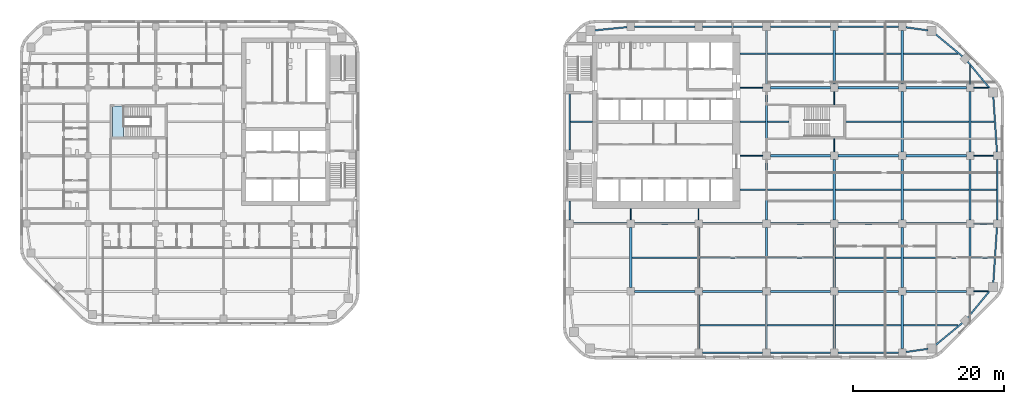
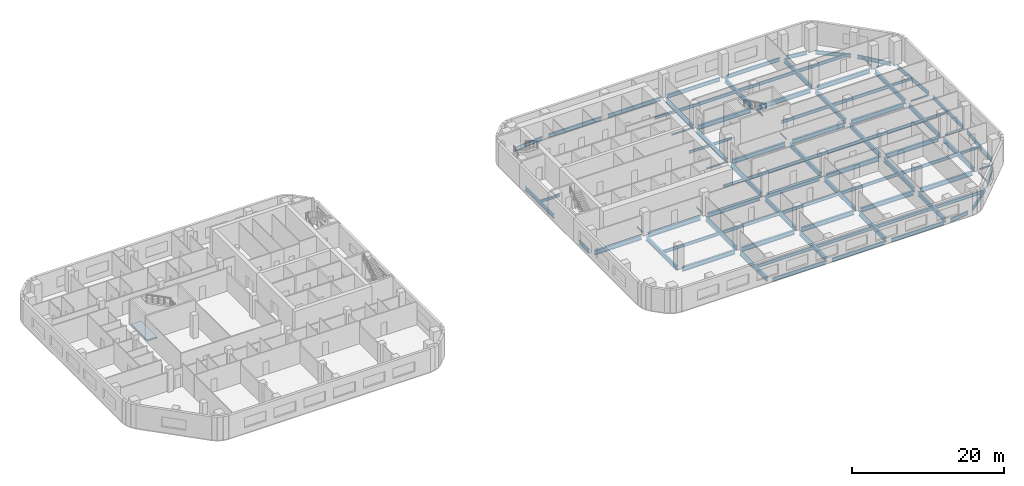
# One storey, part 3 of 16: 93 beams, 1 slab, 1 element without a shape of its own.
"""IFC4 building model written with IfcOpenShell, lengths in metres."""

from ifc_helpers import new_model, si_unit, direction, frame, origin, origin_2d, place, context, subcontext, project, spatial, polyline, i_section, outline, extrude, material, layer, layer_set, material_profile, profile_set, type_object, element, aggregate, save


model = new_model("IFC4")

# Units and contexts
model_context = context("Model", 3, precision=1e-05, world=origin(), true_north=direction((0.0, 1.0)))
body_context = subcontext(model_context, "Body", "Model", "MODEL_VIEW")
ifc_project = project(units=[si_unit("LENGTHUNIT", "METRE"), si_unit("AREAUNIT", "SQUARE_METRE"), si_unit("VOLUMEUNIT", "CUBIC_METRE"), si_unit("PLANEANGLEUNIT", "RADIAN"), si_unit("MASSUNIT", "GRAM", prefix="KILO")], contexts=[model_context])

# Site, building, storey
site_placement = place(None, origin())
site = spatial("IfcSite", under=ifc_project, at=site_placement, CompositionType="ELEMENT")
building_placement = place(site_placement, origin())
building = spatial("IfcBuilding", under=site, at=building_placement, Name="Cinnabar Reach Civic Tower", CompositionType="ELEMENT")
storey_placement = place(building_placement, frame((0.0, 0.0, 42.0)))
storey = spatial("IfcBuildingStorey", under=building, at=storey_placement, Name="L09", CompositionType="ELEMENT", Elevation=42.0)

# Beams
ifc_material_1 = material(Name="Steel Q355B", Category="steel")
ifc_material_profile_1 = material_profile(ifc_material_1, i_section(OverallWidth=0.099, OverallDepth=0.198, WebThickness=0.0045, FlangeThickness=0.007, FilletRadius=0.013, at=origin_2d()), Name="HN200x100x5.5x8")
ifc_profile_set_1 = profile_set([ifc_material_profile_1], Name="Steel Q355B")
beam_type_1 = type_object("IfcBeamType", Name="HN200x100x5.5x8 beam R 180", PredefinedType="BEAM", material=ifc_profile_set_1)
for number, where, z_axis, x_axis, name in (
    (1, (9.0, 18.502, -0.249), (0.0, 1.0, 0.0), (-1.0, 0.0, 0.0), "Girder T1 L09 3"),
    (2, (18.0, 18.502, -0.249), (0.0, 1.0, 0.0), (-1.0, 0.0, 0.0), "Girder T1 L09 6"),
):
    element("IfcBeam", number, at=place(storey_placement, frame(where, z_axis=z_axis, x_axis=x_axis)), inside=storey, type_object=beam_type_1, Name=name, PredefinedType="BEAM", context=body_context, shape_type="SweptSolid", body=[
        extrude(i_section(OverallWidth=0.099, OverallDepth=0.198, WebThickness=0.0045, FlangeThickness=0.007, FilletRadius=0.013, at=origin_2d()), origin(), (0.0, 0.0, 1.0), 1.496),
    ])
for number, where, z_axis, x_axis, name in (
    (3, (36.0, 27.502, -0.249), (0.0, 1.0, 0.0), (-1.0, 0.0, 0.0), "Girder T1 L09 15"),
    (4, (36.0, 33.752, -0.249), (0.0, 1.0, 0.0), (-1.0, 0.0, 0.0), "Girder T1 L09 16"),
):
    element("IfcBeam", number, at=place(storey_placement, frame(where, z_axis=z_axis, x_axis=x_axis)), inside=storey, type_object=beam_type_1, Name=name, PredefinedType="BEAM", context=body_context, shape_type="SweptSolid", body=[
        extrude(i_section(OverallWidth=0.099, OverallDepth=0.198, WebThickness=0.0045, FlangeThickness=0.007, FilletRadius=0.013, at=origin_2d()), origin(), (0.0, 0.0, 1.0), 1.746),
    ])
for number, where, z_axis, x_axis, name in (
    (5, (54.0, 6.0682, -0.249), (0.0, 1.0, 0.0), (-1.0, 0.0, 0.0), "Girder T1 L09 23"),
    (6, (54.0, 36.502, -0.249), (0.0, 1.0, 0.0), (-1.0, 0.0, 0.0), "Girder T1 L09 27"),
):
    element("IfcBeam", number, at=place(storey_placement, frame(where, z_axis=z_axis, x_axis=x_axis)), inside=storey, type_object=beam_type_1, Name=name, PredefinedType="BEAM", context=body_context, shape_type="SweptSolid", body=[
        extrude(i_section(OverallWidth=0.099, OverallDepth=0.198, WebThickness=0.0045, FlangeThickness=0.007, FilletRadius=0.013, at=origin_2d()), origin(), (0.0, 0.0, 1.0), 2.4298),
    ])
ifc_material_profile_2 = material_profile(ifc_material_1, i_section(OverallWidth=0.124, OverallDepth=0.248, WebThickness=0.005, FlangeThickness=0.008, FilletRadius=0.013, at=origin_2d()), Name="HN250x125x6x9")
ifc_profile_set_2 = profile_set([ifc_material_profile_2], Name="Steel Q355B")
beam_type_2 = type_object("IfcBeamType", Name="HN250x125x6x9 beam R 180", PredefinedType="BEAM", material=ifc_profile_set_2)
beam_1_placement = place(storey_placement, frame((54.502, 9.0, -0.274), z_axis=(1.0, 0.0, 0.0), x_axis=(0.0, 1.0, 0.0)))
element("IfcBeam", 7, at=beam_1_placement, inside=storey, type_object=beam_type_2, Name="Girder T1 L09 7", PredefinedType="BEAM", context=body_context, shape_type="SweptSolid", body=[
    extrude(i_section(OverallWidth=0.124, OverallDepth=0.248, WebThickness=0.005, FlangeThickness=0.008, FilletRadius=0.013, at=origin_2d()), origin(), (0.0, 0.0, 1.0), 1.9162),
])
beam_2_placement = place(storey_placement, frame((54.502, 18.0, -0.274), z_axis=(1.0, 0.0, 0.0), x_axis=(0.0, 1.0, 0.0)))
element("IfcBeam", 8, at=beam_2_placement, inside=storey, type_object=beam_type_2, Name="Girder T1 L09 14", PredefinedType="BEAM", context=body_context, shape_type="SweptSolid", body=[
    extrude(i_section(OverallWidth=0.124, OverallDepth=0.248, WebThickness=0.005, FlangeThickness=0.008, FilletRadius=0.013, at=origin_2d()), origin(), (0.0, 0.0, 1.0), 2.596),
])
beam_3_placement = place(storey_placement, frame((23.502, 27.0, -0.274), z_axis=(1.0, 0.0, 0.0), x_axis=(0.0, 1.0, 0.0)))
element("IfcBeam", 9, at=beam_3_placement, inside=storey, type_object=beam_type_2, Name="Girder T1 L09 15", PredefinedType="BEAM", context=body_context, shape_type="SweptSolid", body=[
    extrude(i_section(OverallWidth=0.124, OverallDepth=0.248, WebThickness=0.005, FlangeThickness=0.008, FilletRadius=0.013, at=origin_2d()), origin(), (0.0, 0.0, 1.0), 2.996),
])
beam_4_placement = place(storey_placement, frame((54.502, 27.0, -0.274), z_axis=(1.0, 0.0, 0.0), x_axis=(0.0, 1.0, 0.0)))
element("IfcBeam", 10, at=beam_4_placement, inside=storey, type_object=beam_type_2, Name="Girder T1 L09 19", PredefinedType="BEAM", context=body_context, shape_type="SweptSolid", body=[
    extrude(i_section(OverallWidth=0.124, OverallDepth=0.248, WebThickness=0.005, FlangeThickness=0.008, FilletRadius=0.013, at=origin_2d()), origin(), (0.0, 0.0, 1.0), 2.596),
])
beam_5_placement = place(storey_placement, frame((23.502, 36.0, -0.274), z_axis=(1.0, 0.0, 0.0), x_axis=(0.0, 1.0, 0.0)))
element("IfcBeam", 11, at=beam_5_placement, inside=storey, type_object=beam_type_2, Name="Girder T1 L09 20", PredefinedType="BEAM", context=body_context, shape_type="SweptSolid", body=[
    extrude(i_section(OverallWidth=0.124, OverallDepth=0.248, WebThickness=0.005, FlangeThickness=0.008, FilletRadius=0.013, at=origin_2d()), origin(), (0.0, 0.0, 1.0), 2.996),
])
beam_6_placement = place(storey_placement, frame((54.502, 36.0, -0.274), z_axis=(1.0, 0.0, 0.0), x_axis=(0.0, 1.0, 0.0)))
element("IfcBeam", 12, at=beam_6_placement, inside=storey, type_object=beam_type_2, Name="Girder T1 L09 24", PredefinedType="BEAM", context=body_context, shape_type="SweptSolid", body=[
    extrude(i_section(OverallWidth=0.124, OverallDepth=0.248, WebThickness=0.005, FlangeThickness=0.008, FilletRadius=0.013, at=origin_2d()), origin(), (0.0, 0.0, 1.0), 1.9162),
])
ifc_material_profile_3 = material_profile(ifc_material_1, i_section(OverallWidth=0.2, OverallDepth=0.4, WebThickness=0.008, FlangeThickness=0.013, FilletRadius=0.016, at=origin_2d()), Name="HN400x200x8x13")
ifc_profile_set_3 = profile_set([ifc_material_profile_3], Name="Steel Q355B")
beam_type_3 = type_object("IfcBeamType", Name="HN400x200x8x13 beam R 180", PredefinedType="BEAM", material=ifc_profile_set_3)
beam_7_placement = place(storey_placement, frame((54.152, 13.5, -0.35), z_axis=(1.0, 0.0, 0.0), x_axis=(0.0, 1.0, 0.0)))
element("IfcBeam", 13, at=beam_7_placement, inside=storey, type_object=beam_type_3, Name="Secondary beam T1 L09 13", PredefinedType="BEAM", context=body_context, shape_type="SweptSolid", body=[
    extrude(i_section(OverallWidth=0.2, OverallDepth=0.4, WebThickness=0.008, FlangeThickness=0.013, FilletRadius=0.016, at=origin_2d()), origin(), (0.0, 0.0, 1.0), 3.0494),
])
for number, where, z_axis, x_axis, name in (
    (14, (23.502, 22.5, -0.35), (1.0, 0.0, 0.0), (0.0, 1.0, 0.0), "Secondary beam T1 L09 14"),
    (15, (54.152, 22.5, -0.35), (1.0, 0.0, 0.0), (0.0, 1.0, 0.0), "Secondary beam T1 L09 18"),
):
    element("IfcBeam", number, at=place(storey_placement, frame(where, z_axis=z_axis, x_axis=x_axis)), inside=storey, type_object=beam_type_3, Name=name, PredefinedType="BEAM", context=body_context, shape_type="SweptSolid", body=[
        extrude(i_section(OverallWidth=0.2, OverallDepth=0.4, WebThickness=0.008, FlangeThickness=0.013, FilletRadius=0.016, at=origin_2d()), origin(), (0.0, 0.0, 1.0), 3.346),
    ])
beam_8_placement = place(storey_placement, frame((1.002, 31.5, -0.35), z_axis=(1.0, 0.0, 0.0), x_axis=(0.0, 1.0, 0.0)))
element("IfcBeam", 16, at=beam_8_placement, inside=storey, type_object=beam_type_3, Name="Secondary beam T1 L09 19", PredefinedType="BEAM", context=body_context, shape_type="SweptSolid", body=[
    extrude(i_section(OverallWidth=0.2, OverallDepth=0.4, WebThickness=0.008, FlangeThickness=0.013, FilletRadius=0.016, at=origin_2d()), origin(), (0.0, 0.0, 1.0), 2.896),
])
beam_9_placement = place(storey_placement, frame((23.502, 31.5, -0.35), z_axis=(1.0, 0.0, 0.0), x_axis=(0.0, 1.0, 0.0)))
element("IfcBeam", 17, at=beam_9_placement, inside=storey, type_object=beam_type_3, Name="Secondary beam T1 L09 20", PredefinedType="BEAM", context=body_context, shape_type="SweptSolid", body=[
    extrude(i_section(OverallWidth=0.2, OverallDepth=0.4, WebThickness=0.008, FlangeThickness=0.013, FilletRadius=0.016, at=origin_2d()), origin(), (0.0, 0.0, 1.0), 3.346),
])
beam_10_placement = place(storey_placement, frame((27.152, 31.5, -0.35), z_axis=(1.0, 0.0, 0.0), x_axis=(0.0, 1.0, 0.0)))
element("IfcBeam", 18, at=beam_10_placement, inside=storey, type_object=beam_type_3, Name="Secondary beam T1 L09 21", PredefinedType="BEAM", context=body_context, shape_type="SweptSolid", body=[
    extrude(i_section(OverallWidth=0.2, OverallDepth=0.4, WebThickness=0.008, FlangeThickness=0.013, FilletRadius=0.016, at=origin_2d()), origin(), (0.0, 0.0, 1.0), 2.846),
])
beam_11_placement = place(storey_placement, frame((54.152, 31.5, -0.35), z_axis=(1.0, 0.0, 0.0), x_axis=(0.0, 1.0, 0.0)))
element("IfcBeam", 19, at=beam_11_placement, inside=storey, type_object=beam_type_3, Name="Secondary beam T1 L09 24", PredefinedType="BEAM", context=body_context, shape_type="SweptSolid", body=[
    extrude(i_section(OverallWidth=0.2, OverallDepth=0.4, WebThickness=0.008, FlangeThickness=0.013, FilletRadius=0.016, at=origin_2d()), origin(), (0.0, 0.0, 1.0), 3.0494),
])
beam_12_placement = place(storey_placement, frame((23.502, 40.5, -0.35), z_axis=(1.0, 0.0, 0.0), x_axis=(0.0, 1.0, 0.0)))
element("IfcBeam", 20, at=beam_12_placement, inside=storey, type_object=beam_type_3, Name="Secondary beam T1 L09 25", PredefinedType="BEAM", context=body_context, shape_type="SweptSolid", body=[
    extrude(i_section(OverallWidth=0.2, OverallDepth=0.4, WebThickness=0.008, FlangeThickness=0.013, FilletRadius=0.016, at=origin_2d()), origin(), (0.0, 0.0, 1.0), 3.346),
])
ifc_material_profile_4 = material_profile(ifc_material_1, i_section(OverallWidth=0.2, OverallDepth=0.5, WebThickness=0.01, FlangeThickness=0.016, FilletRadius=0.016, at=origin_2d()), Name="HN500x200x10x16")
ifc_profile_set_4 = profile_set([ifc_material_profile_4], Name="Steel Q355B")
beam_type_4 = type_object("IfcBeamType", Name="HN500x200x10x16 beam R 180", PredefinedType="BEAM", material=ifc_profile_set_4)
for number, where, z_axis, x_axis, name in (
    (21, (18.152, 4.5, -0.4), (1.0, 0.0, 0.0), (0.0, 1.0, 0.0), "Secondary beam T1 L09 3"),
    (22, (27.152, 4.5, -0.4), (1.0, 0.0, 0.0), (0.0, 1.0, 0.0), "Secondary beam T1 L09 4"),
    (23, (36.152, 4.5, -0.4), (1.0, 0.0, 0.0), (0.0, 1.0, 0.0), "Secondary beam T1 L09 5"),
):
    element("IfcBeam", number, at=place(storey_placement, frame(where, z_axis=z_axis, x_axis=x_axis)), inside=storey, type_object=beam_type_4, Name=name, PredefinedType="BEAM", context=body_context, shape_type="SweptSolid", body=[
        extrude(i_section(OverallWidth=0.2, OverallDepth=0.5, WebThickness=0.01, FlangeThickness=0.016, FilletRadius=0.016, at=origin_2d()), origin(), (0.0, 0.0, 1.0), 8.696),
    ])
beam_13_placement = place(storey_placement, frame((45.152, 4.5, -0.4), z_axis=(1.0, 0.0, 0.0), x_axis=(0.0, 1.0, 0.0)))
element("IfcBeam", 24, at=beam_13_placement, inside=storey, type_object=beam_type_4, Name="Secondary beam T1 L09 6", PredefinedType="BEAM", context=body_context, shape_type="SweptSolid", body=[
    extrude(i_section(OverallWidth=0.2, OverallDepth=0.5, WebThickness=0.01, FlangeThickness=0.016, FilletRadius=0.016, at=origin_2d()), origin(), (0.0, 0.0, 1.0), 7.2798),
])
for number, where, z_axis, x_axis, name in (
    (25, (9.152, 13.5, -0.4), (1.0, 0.0, 0.0), (0.0, 1.0, 0.0), "Secondary beam T1 L09 8"),
    (26, (18.152, 13.5, -0.4), (1.0, 0.0, 0.0), (0.0, 1.0, 0.0), "Secondary beam T1 L09 9"),
    (27, (27.152, 13.5, -0.4), (1.0, 0.0, 0.0), (0.0, 1.0, 0.0), "Secondary beam T1 L09 10"),
    (28, (36.152, 13.5, -0.4), (1.0, 0.0, 0.0), (0.0, 1.0, 0.0), "Secondary beam T1 L09 11"),
    (29, (45.152, 13.5, -0.4), (1.0, 0.0, 0.0), (0.0, 1.0, 0.0), "Secondary beam T1 L09 12"),
    (30, (27.152, 22.5, -0.4), (1.0, 0.0, 0.0), (0.0, 1.0, 0.0), "Secondary beam T1 L09 15"),
    (31, (36.152, 22.5, -0.4), (1.0, 0.0, 0.0), (0.0, 1.0, 0.0), "Secondary beam T1 L09 16"),
    (32, (45.152, 22.5, -0.4), (1.0, 0.0, 0.0), (0.0, 1.0, 0.0), "Secondary beam T1 L09 17"),
):
    element("IfcBeam", number, at=place(storey_placement, frame(where, z_axis=z_axis, x_axis=x_axis)), inside=storey, type_object=beam_type_4, Name=name, PredefinedType="BEAM", context=body_context, shape_type="SweptSolid", body=[
        extrude(i_section(OverallWidth=0.2, OverallDepth=0.5, WebThickness=0.01, FlangeThickness=0.016, FilletRadius=0.016, at=origin_2d()), origin(), (0.0, 0.0, 1.0), 8.696),
    ])
beam_14_placement = place(storey_placement, frame((37.502, 31.5, -0.4), z_axis=(1.0, 0.0, 0.0), x_axis=(0.0, 1.0, 0.0)))
element("IfcBeam", 33, at=beam_14_placement, inside=storey, type_object=beam_type_4, Name="Secondary beam T1 L09 22", PredefinedType="BEAM", context=body_context, shape_type="SweptSolid", body=[
    extrude(i_section(OverallWidth=0.2, OverallDepth=0.5, WebThickness=0.01, FlangeThickness=0.016, FilletRadius=0.016, at=origin_2d()), origin(), (0.0, 0.0, 1.0), 7.346),
])
for number, where, z_axis, x_axis, name in (
    (34, (45.152, 31.5, -0.4), (1.0, 0.0, 0.0), (0.0, 1.0, 0.0), "Secondary beam T1 L09 23"),
    (35, (27.152, 40.5, -0.4), (1.0, 0.0, 0.0), (0.0, 1.0, 0.0), "Secondary beam T1 L09 26"),
    (36, (36.152, 40.5, -0.4), (1.0, 0.0, 0.0), (0.0, 1.0, 0.0), "Secondary beam T1 L09 27"),
):
    element("IfcBeam", number, at=place(storey_placement, frame(where, z_axis=z_axis, x_axis=x_axis)), inside=storey, type_object=beam_type_4, Name=name, PredefinedType="BEAM", context=body_context, shape_type="SweptSolid", body=[
        extrude(i_section(OverallWidth=0.2, OverallDepth=0.5, WebThickness=0.01, FlangeThickness=0.016, FilletRadius=0.016, at=origin_2d()), origin(), (0.0, 0.0, 1.0), 8.696),
    ])
beam_15_placement = place(storey_placement, frame((45.152, 40.5, -0.4), z_axis=(1.0, 0.0, 0.0), x_axis=(0.0, 1.0, 0.0)))
element("IfcBeam", 37, at=beam_15_placement, inside=storey, type_object=beam_type_4, Name="Secondary beam T1 L09 28", PredefinedType="BEAM", context=body_context, shape_type="SweptSolid", body=[
    extrude(i_section(OverallWidth=0.2, OverallDepth=0.5, WebThickness=0.01, FlangeThickness=0.016, FilletRadius=0.016, at=origin_2d()), origin(), (0.0, 0.0, 1.0), 7.2798),
])
ifc_material_profile_5 = material_profile(ifc_material_1, i_section(OverallWidth=0.2, OverallDepth=0.6, WebThickness=0.011, FlangeThickness=0.017, FilletRadius=0.016, at=origin_2d()), Name="HN600x200x11x17")
ifc_profile_set_5 = profile_set([ifc_material_profile_5], Name="Steel Q355B")
beam_type_5 = type_object("IfcBeamType", Name="HN600x200x11x17 beam R 180", PredefinedType="BEAM", material=ifc_profile_set_5)
for number, where, z_axis, x_axis, name in (
    (38, (18.502, 0.9, -0.45), (1.0, 0.0, 0.0), (0.0, 1.0, 0.0), "Edge beam T1 L09 3"),
    (39, (27.502, 0.9, -0.45), (1.0, 0.0, 0.0), (0.0, 1.0, 0.0), "Edge beam T1 L09 4"),
    (40, (36.502, 0.9, -0.45), (1.0, 0.0, 0.0), (0.0, 1.0, 0.0), "Edge beam T1 L09 5"),
):
    element("IfcBeam", number, at=place(storey_placement, frame(where, z_axis=z_axis, x_axis=x_axis)), inside=storey, type_object=beam_type_5, Name=name, PredefinedType="BEAM", context=body_context, shape_type="SweptSolid", body=[
        extrude(i_section(OverallWidth=0.2, OverallDepth=0.6, WebThickness=0.011, FlangeThickness=0.017, FilletRadius=0.016, at=origin_2d()), origin(), (0.0, 0.0, 1.0), 7.996),
    ])
beam_16_placement = place(storey_placement, frame((45.502, 0.9712, -0.45), z_axis=(0.990082238922, 0.140489003738, 0.0), x_axis=(-0.140489003738, 0.990082238922, 0.0)))
element("IfcBeam", 41, at=beam_16_placement, inside=storey, type_object=beam_type_5, Name="Edge beam T1 L09 6", PredefinedType="BEAM", context=body_context, shape_type="SweptSolid", body=[
    extrude(i_section(OverallWidth=0.2, OverallDepth=0.6, WebThickness=0.011, FlangeThickness=0.017, FilletRadius=0.016, at=origin_2d()), origin(), (0.0, 0.0, 1.0), 2.9433),
])
for number, where, z_axis, x_axis, name in (
    (42, (49.3801, 1.8507, -0.45), (0.77143827905, 0.6363041581, 0.0), (-0.6363041581, 0.77143827905, 0.0), "Edge beam T1 L09 7"),
    (43, (53.6461, 5.4789, -0.45), (0.6363041581, 0.77143827905, 0.0), (-0.77143827905, 0.6363041581, 0.0), "Edge beam T1 L09 8"),
):
    element("IfcBeam", number, at=place(storey_placement, frame(where, z_axis=z_axis, x_axis=x_axis)), inside=storey, type_object=beam_type_5, Name=name, PredefinedType="BEAM", context=body_context, shape_type="SweptSolid", body=[
        extrude(i_section(OverallWidth=0.2, OverallDepth=0.6, WebThickness=0.011, FlangeThickness=0.017, FilletRadius=0.016, at=origin_2d()), origin(), (0.0, 0.0, 1.0), 4.7198),
    ])
beam_17_placement = place(storey_placement, frame((57.0786, 10.0839, -0.45), z_axis=(0.065718615968, 0.997838195057, 0.0), x_axis=(-0.997838195057, 0.065718615968, 0.0)))
element("IfcBeam", 44, at=beam_17_placement, inside=storey, type_object=beam_type_5, Name="Edge beam T1 L09 9", PredefinedType="BEAM", context=body_context, shape_type="SweptSolid", body=[
    extrude(i_section(OverallWidth=0.2, OverallDepth=0.6, WebThickness=0.011, FlangeThickness=0.017, FilletRadius=0.016, at=origin_2d()), origin(), (0.0, 0.0, 1.0), 7.4302),
])
beam_18_placement = place(storey_placement, frame((57.6, 18.502, -0.45), z_axis=(0.0, 1.0, 0.0), x_axis=(-1.0, 0.0, 0.0)))
element("IfcBeam", 45, at=beam_18_placement, inside=storey, type_object=beam_type_5, Name="Edge beam T1 L09 10", PredefinedType="BEAM", context=body_context, shape_type="SweptSolid", body=[
    extrude(i_section(OverallWidth=0.2, OverallDepth=0.6, WebThickness=0.011, FlangeThickness=0.017, FilletRadius=0.016, at=origin_2d()), origin(), (0.0, 0.0, 1.0), 7.996),
])
beam_19_placement = place(storey_placement, frame((57.5669, 27.502, -0.45), z_axis=(-0.065718615968, 0.997838195057, 0.0), x_axis=(-0.997838195057, -0.065718615968, 0.0)))
element("IfcBeam", 46, at=beam_19_placement, inside=storey, type_object=beam_type_5, Name="Edge beam T1 L09 11", PredefinedType="BEAM", context=body_context, shape_type="SweptSolid", body=[
    extrude(i_section(OverallWidth=0.2, OverallDepth=0.6, WebThickness=0.011, FlangeThickness=0.017, FilletRadius=0.016, at=origin_2d()), origin(), (0.0, 0.0, 1.0), 7.4302),
])
for number, where, z_axis, x_axis, name in (
    (47, (56.6493, 35.8801, -0.45), (-0.6363041581, 0.77143827905, 0.0), (-0.77143827905, -0.6363041581, 0.0), "Edge beam T1 L09 12"),
    (48, (53.0211, 40.1461, -0.45), (-0.77143827905, 0.6363041581, 0.0), (-0.6363041581, -0.77143827905, 0.0), "Edge beam T1 L09 13"),
):
    element("IfcBeam", number, at=place(storey_placement, frame(where, z_axis=z_axis, x_axis=x_axis)), inside=storey, type_object=beam_type_5, Name=name, PredefinedType="BEAM", context=body_context, shape_type="SweptSolid", body=[
        extrude(i_section(OverallWidth=0.2, OverallDepth=0.6, WebThickness=0.011, FlangeThickness=0.017, FilletRadius=0.016, at=origin_2d()), origin(), (0.0, 0.0, 1.0), 4.7198),
    ])
beam_20_placement = place(storey_placement, frame((48.4161, 43.6153, -0.45), z_axis=(-0.990082238922, 0.140489003738, 0.0), x_axis=(-0.140489003738, -0.990082238922, 0.0)))
element("IfcBeam", 49, at=beam_20_placement, inside=storey, type_object=beam_type_5, Name="Edge beam T1 L09 14", PredefinedType="BEAM", context=body_context, shape_type="SweptSolid", body=[
    extrude(i_section(OverallWidth=0.2, OverallDepth=0.6, WebThickness=0.011, FlangeThickness=0.017, FilletRadius=0.016, at=origin_2d()), origin(), (0.0, 0.0, 1.0), 2.9433),
])
for number, where, z_axis, x_axis, name in (
    (50, (44.498, 44.1, -0.45), (-1.0, 0.0, 0.0), (0.0, -1.0, 0.0), "Edge beam T1 L09 15"),
    (51, (35.498, 44.1, -0.45), (-1.0, 0.0, 0.0), (0.0, -1.0, 0.0), "Edge beam T1 L09 16"),
    (52, (26.498, 44.1, -0.45), (-1.0, 0.0, 0.0), (0.0, -1.0, 0.0), "Edge beam T1 L09 17"),
    (53, (17.498, 44.1, -0.45), (-1.0, 0.0, 0.0), (0.0, -1.0, 0.0), "Edge beam T1 L09 18"),
):
    element("IfcBeam", number, at=place(storey_placement, frame(where, z_axis=z_axis, x_axis=x_axis)), inside=storey, type_object=beam_type_5, Name=name, PredefinedType="BEAM", context=body_context, shape_type="SweptSolid", body=[
        extrude(i_section(OverallWidth=0.2, OverallDepth=0.6, WebThickness=0.011, FlangeThickness=0.017, FilletRadius=0.016, at=origin_2d()), origin(), (0.0, 0.0, 1.0), 7.996),
    ])
beam_21_placement = place(storey_placement, frame((8.498, 44.0505, -0.45), z_axis=(-0.995166374533, -0.098203294236, 0.0), x_axis=(0.098203294236, -0.995166374533, 0.0)))
element("IfcBeam", 54, at=beam_21_placement, inside=storey, type_object=beam_type_5, Name="Edge beam T1 L09 19", PredefinedType="BEAM", context=body_context, shape_type="SweptSolid", body=[
    extrude(i_section(OverallWidth=0.2, OverallDepth=0.6, WebThickness=0.011, FlangeThickness=0.017, FilletRadius=0.016, at=origin_2d()), origin(), (0.0, 0.0, 1.0), 4.3705),
])
beam_22_placement = place(storey_placement, frame((0.9, 35.248, -0.45), z_axis=(0.0, -1.0, 0.0), x_axis=(1.0, 0.0, 0.0)))
element("IfcBeam", 55, at=beam_22_placement, inside=storey, type_object=beam_type_5, Name="Edge beam T1 L09 20", PredefinedType="BEAM", context=body_context, shape_type="SweptSolid", body=[
    extrude(i_section(OverallWidth=0.2, OverallDepth=0.6, WebThickness=0.011, FlangeThickness=0.017, FilletRadius=0.016, at=origin_2d()), origin(), (0.0, 0.0, 1.0), 7.496),
])
beam_23_placement = place(storey_placement, frame((0.9, 20.998, -0.45), z_axis=(0.0, -1.0, 0.0), x_axis=(1.0, 0.0, 0.0)))
element("IfcBeam", 56, at=beam_23_placement, inside=storey, type_object=beam_type_5, Name="Edge beam T1 L09 21", PredefinedType="BEAM", context=body_context, shape_type="SweptSolid", body=[
    extrude(i_section(OverallWidth=0.2, OverallDepth=0.6, WebThickness=0.011, FlangeThickness=0.017, FilletRadius=0.016, at=origin_2d()), origin(), (0.0, 0.0, 1.0), 2.496),
])
ifc_material_profile_6 = material_profile(ifc_material_1, i_section(OverallWidth=0.3, OverallDepth=0.692, WebThickness=0.013, FlangeThickness=0.02, FilletRadius=0.016, at=origin_2d()), Name="HN692x300x13x20")
ifc_profile_set_6 = profile_set([ifc_material_profile_6], Name="Steel Q355B")
beam_type_6 = type_object("IfcBeamType", Name="HN692x300x13x20 beam R 180", PredefinedType="BEAM", material=ifc_profile_set_6)
beam_24_placement = place(storey_placement, frame((9.0, 9.502, -0.496), z_axis=(0.0, 1.0, 0.0), x_axis=(-1.0, 0.0, 0.0)))
element("IfcBeam", 57, at=beam_24_placement, inside=storey, type_object=beam_type_6, Name="Girder T1 L09 2", PredefinedType="BEAM", context=body_context, shape_type="SweptSolid", body=[
    extrude(i_section(OverallWidth=0.3, OverallDepth=0.692, WebThickness=0.013, FlangeThickness=0.02, FilletRadius=0.016, at=origin_2d()), origin(), (0.0, 0.0, 1.0), 7.996),
])
beam_25_placement = place(storey_placement, frame((18.0, 1.402, -0.496), z_axis=(0.0, 1.0, 0.0), x_axis=(-1.0, 0.0, 0.0)))
element("IfcBeam", 58, at=beam_25_placement, inside=storey, type_object=beam_type_6, Name="Girder T1 L09 4", PredefinedType="BEAM", context=body_context, shape_type="SweptSolid", body=[
    extrude(i_section(OverallWidth=0.3, OverallDepth=0.692, WebThickness=0.013, FlangeThickness=0.02, FilletRadius=0.016, at=origin_2d()), origin(), (0.0, 0.0, 1.0), 7.096),
])
beam_26_placement = place(storey_placement, frame((18.0, 9.502, -0.496), z_axis=(0.0, 1.0, 0.0), x_axis=(-1.0, 0.0, 0.0)))
element("IfcBeam", 59, at=beam_26_placement, inside=storey, type_object=beam_type_6, Name="Girder T1 L09 5", PredefinedType="BEAM", context=body_context, shape_type="SweptSolid", body=[
    extrude(i_section(OverallWidth=0.3, OverallDepth=0.692, WebThickness=0.013, FlangeThickness=0.02, FilletRadius=0.016, at=origin_2d()), origin(), (0.0, 0.0, 1.0), 7.996),
])
beam_27_placement = place(storey_placement, frame((27.0, 1.402, -0.496), z_axis=(0.0, 1.0, 0.0), x_axis=(-1.0, 0.0, 0.0)))
element("IfcBeam", 60, at=beam_27_placement, inside=storey, type_object=beam_type_6, Name="Girder T1 L09 7", PredefinedType="BEAM", context=body_context, shape_type="SweptSolid", body=[
    extrude(i_section(OverallWidth=0.3, OverallDepth=0.692, WebThickness=0.013, FlangeThickness=0.02, FilletRadius=0.016, at=origin_2d()), origin(), (0.0, 0.0, 1.0), 7.096),
])
for number, where, z_axis, x_axis, name in (
    (61, (27.0, 9.502, -0.496), (0.0, 1.0, 0.0), (-1.0, 0.0, 0.0), "Girder T1 L09 8"),
    (62, (27.0, 18.502, -0.496), (0.0, 1.0, 0.0), (-1.0, 0.0, 0.0), "Girder T1 L09 9"),
    (63, (27.0, 27.502, -0.496), (0.0, 1.0, 0.0), (-1.0, 0.0, 0.0), "Girder T1 L09 10"),
):
    element("IfcBeam", number, at=place(storey_placement, frame(where, z_axis=z_axis, x_axis=x_axis)), inside=storey, type_object=beam_type_6, Name=name, PredefinedType="BEAM", context=body_context, shape_type="SweptSolid", body=[
        extrude(i_section(OverallWidth=0.3, OverallDepth=0.692, WebThickness=0.013, FlangeThickness=0.02, FilletRadius=0.016, at=origin_2d()), origin(), (0.0, 0.0, 1.0), 7.996),
    ])
for number, where, z_axis, x_axis, name in (
    (64, (27.0, 36.502, -0.496), (0.0, 1.0, 0.0), (-1.0, 0.0, 0.0), "Girder T1 L09 11"),
    (65, (36.0, 1.402, -0.496), (0.0, 1.0, 0.0), (-1.0, 0.0, 0.0), "Girder T1 L09 12"),
):
    element("IfcBeam", number, at=place(storey_placement, frame(where, z_axis=z_axis, x_axis=x_axis)), inside=storey, type_object=beam_type_6, Name=name, PredefinedType="BEAM", context=body_context, shape_type="SweptSolid", body=[
        extrude(i_section(OverallWidth=0.3, OverallDepth=0.692, WebThickness=0.013, FlangeThickness=0.02, FilletRadius=0.016, at=origin_2d()), origin(), (0.0, 0.0, 1.0), 7.096),
    ])
for number, where, z_axis, x_axis, name in (
    (66, (36.0, 9.502, -0.496), (0.0, 1.0, 0.0), (-1.0, 0.0, 0.0), "Girder T1 L09 13"),
    (67, (36.0, 18.502, -0.496), (0.0, 1.0, 0.0), (-1.0, 0.0, 0.0), "Girder T1 L09 14"),
):
    element("IfcBeam", number, at=place(storey_placement, frame(where, z_axis=z_axis, x_axis=x_axis)), inside=storey, type_object=beam_type_6, Name=name, PredefinedType="BEAM", context=body_context, shape_type="SweptSolid", body=[
        extrude(i_section(OverallWidth=0.3, OverallDepth=0.692, WebThickness=0.013, FlangeThickness=0.02, FilletRadius=0.016, at=origin_2d()), origin(), (0.0, 0.0, 1.0), 7.996),
    ])
for number, where, z_axis, x_axis, name in (
    (68, (36.0, 36.502, -0.496), (0.0, 1.0, 0.0), (-1.0, 0.0, 0.0), "Girder T1 L09 17"),
    (69, (45.0, 1.402, -0.496), (0.0, 1.0, 0.0), (-1.0, 0.0, 0.0), "Girder T1 L09 18"),
):
    element("IfcBeam", number, at=place(storey_placement, frame(where, z_axis=z_axis, x_axis=x_axis)), inside=storey, type_object=beam_type_6, Name=name, PredefinedType="BEAM", context=body_context, shape_type="SweptSolid", body=[
        extrude(i_section(OverallWidth=0.3, OverallDepth=0.692, WebThickness=0.013, FlangeThickness=0.02, FilletRadius=0.016, at=origin_2d()), origin(), (0.0, 0.0, 1.0), 7.096),
    ])
for number, where, z_axis, x_axis, name in (
    (70, (45.0, 9.502, -0.496), (0.0, 1.0, 0.0), (-1.0, 0.0, 0.0), "Girder T1 L09 19"),
    (71, (45.0, 18.502, -0.496), (0.0, 1.0, 0.0), (-1.0, 0.0, 0.0), "Girder T1 L09 20"),
    (72, (45.0, 27.502, -0.496), (0.0, 1.0, 0.0), (-1.0, 0.0, 0.0), "Girder T1 L09 21"),
):
    element("IfcBeam", number, at=place(storey_placement, frame(where, z_axis=z_axis, x_axis=x_axis)), inside=storey, type_object=beam_type_6, Name=name, PredefinedType="BEAM", context=body_context, shape_type="SweptSolid", body=[
        extrude(i_section(OverallWidth=0.3, OverallDepth=0.692, WebThickness=0.013, FlangeThickness=0.02, FilletRadius=0.016, at=origin_2d()), origin(), (0.0, 0.0, 1.0), 7.996),
    ])
beam_28_placement = place(storey_placement, frame((45.0, 36.502, -0.496), z_axis=(0.0, 1.0, 0.0), x_axis=(-1.0, 0.0, 0.0)))
element("IfcBeam", 73, at=beam_28_placement, inside=storey, type_object=beam_type_6, Name="Girder T1 L09 22", PredefinedType="BEAM", context=body_context, shape_type="SweptSolid", body=[
    extrude(i_section(OverallWidth=0.3, OverallDepth=0.692, WebThickness=0.013, FlangeThickness=0.02, FilletRadius=0.016, at=origin_2d()), origin(), (0.0, 0.0, 1.0), 7.096),
])
for number, where, z_axis, x_axis, name in (
    (74, (54.0, 9.502, -0.496), (0.0, 1.0, 0.0), (-1.0, 0.0, 0.0), "Girder T1 L09 24"),
    (75, (54.0, 18.502, -0.496), (0.0, 1.0, 0.0), (-1.0, 0.0, 0.0), "Girder T1 L09 25"),
    (76, (54.0, 27.502, -0.496), (0.0, 1.0, 0.0), (-1.0, 0.0, 0.0), "Girder T1 L09 26"),
):
    element("IfcBeam", number, at=place(storey_placement, frame(where, z_axis=z_axis, x_axis=x_axis)), inside=storey, type_object=beam_type_6, Name=name, PredefinedType="BEAM", context=body_context, shape_type="SweptSolid", body=[
        extrude(i_section(OverallWidth=0.3, OverallDepth=0.692, WebThickness=0.013, FlangeThickness=0.02, FilletRadius=0.016, at=origin_2d()), origin(), (0.0, 0.0, 1.0), 7.996),
    ])
ifc_material_profile_7 = material_profile(ifc_material_1, i_section(OverallWidth=0.3, OverallDepth=0.7, WebThickness=0.013, FlangeThickness=0.024, FilletRadius=0.02, at=origin_2d()), Name="HN700x300x13x24")
ifc_profile_set_7 = profile_set([ifc_material_profile_7], Name="Steel Q355B")
beam_type_7 = type_object("IfcBeamType", Name="HN700x300x13x24 beam R 180", PredefinedType="BEAM", material=ifc_profile_set_7)
for number, where, z_axis, x_axis, name in (
    (77, (9.502, 9.0, -0.5), (1.0, 0.0, 0.0), (0.0, 1.0, 0.0), "Girder T1 L09 2"),
    (78, (18.502, 9.0, -0.5), (1.0, 0.0, 0.0), (0.0, 1.0, 0.0), "Girder T1 L09 3"),
    (79, (27.502, 9.0, -0.5), (1.0, 0.0, 0.0), (0.0, 1.0, 0.0), "Girder T1 L09 4"),
    (80, (36.502, 9.0, -0.5), (1.0, 0.0, 0.0), (0.0, 1.0, 0.0), "Girder T1 L09 5"),
    (81, (45.502, 9.0, -0.5), (1.0, 0.0, 0.0), (0.0, 1.0, 0.0), "Girder T1 L09 6"),
):
    element("IfcBeam", number, at=place(storey_placement, frame(where, z_axis=z_axis, x_axis=x_axis)), inside=storey, type_object=beam_type_7, Name=name, PredefinedType="BEAM", context=body_context, shape_type="SweptSolid", body=[
        extrude(i_section(OverallWidth=0.3, OverallDepth=0.7, WebThickness=0.013, FlangeThickness=0.024, FilletRadius=0.02, at=origin_2d()), origin(), (0.0, 0.0, 1.0), 7.996),
    ])
beam_29_placement = place(storey_placement, frame((1.402, 18.0, -0.5), z_axis=(1.0, 0.0, 0.0), x_axis=(0.0, 1.0, 0.0)))
element("IfcBeam", 82, at=beam_29_placement, inside=storey, type_object=beam_type_7, Name="Girder T1 L09 8", PredefinedType="BEAM", context=body_context, shape_type="SweptSolid", body=[
    extrude(i_section(OverallWidth=0.3, OverallDepth=0.7, WebThickness=0.013, FlangeThickness=0.024, FilletRadius=0.02, at=origin_2d()), origin(), (0.0, 0.0, 1.0), 7.096),
])
for number, where, z_axis, x_axis, name in (
    (83, (9.502, 18.0, -0.5), (1.0, 0.0, 0.0), (0.0, 1.0, 0.0), "Girder T1 L09 9"),
    (84, (18.502, 18.0, -0.5), (1.0, 0.0, 0.0), (0.0, 1.0, 0.0), "Girder T1 L09 10"),
    (85, (27.502, 18.0, -0.5), (1.0, 0.0, 0.0), (0.0, 1.0, 0.0), "Girder T1 L09 11"),
    (86, (36.502, 18.0, -0.5), (1.0, 0.0, 0.0), (0.0, 1.0, 0.0), "Girder T1 L09 12"),
    (87, (45.502, 18.0, -0.5), (1.0, 0.0, 0.0), (0.0, 1.0, 0.0), "Girder T1 L09 13"),
    (88, (27.502, 27.0, -0.5), (1.0, 0.0, 0.0), (0.0, 1.0, 0.0), "Girder T1 L09 16"),
    (89, (36.502, 27.0, -0.5), (1.0, 0.0, 0.0), (0.0, 1.0, 0.0), "Girder T1 L09 17"),
    (90, (45.502, 27.0, -0.5), (1.0, 0.0, 0.0), (0.0, 1.0, 0.0), "Girder T1 L09 18"),
    (91, (27.502, 36.0, -0.5), (1.0, 0.0, 0.0), (0.0, 1.0, 0.0), "Girder T1 L09 21"),
    (92, (36.502, 36.0, -0.5), (1.0, 0.0, 0.0), (0.0, 1.0, 0.0), "Girder T1 L09 22"),
    (93, (45.502, 36.0, -0.5), (1.0, 0.0, 0.0), (0.0, 1.0, 0.0), "Girder T1 L09 23"),
):
    element("IfcBeam", number, at=place(storey_placement, frame(where, z_axis=z_axis, x_axis=x_axis)), inside=storey, type_object=beam_type_7, Name=name, PredefinedType="BEAM", context=body_context, shape_type="SweptSolid", body=[
        extrude(i_section(OverallWidth=0.3, OverallDepth=0.7, WebThickness=0.013, FlangeThickness=0.024, FilletRadius=0.02, at=origin_2d()), origin(), (0.0, 0.0, 1.0), 7.996),
    ])

# Stair, slab
ifc_material_2 = material(Name="Concrete C40", Category="concrete")
stair_type = type_object("IfcStairType", Name="T2 Exit stair 1500", PredefinedType="HALF_TURN_STAIR", material=ifc_material_2)
stair_placement = place(storey_placement, origin())
stair = element("IfcStair", 94, at=stair_placement, inside=storey, type_object=stair_type, Name="Exit stair 3", PredefinedType="HALF_TURN_STAIR")
ifc_layer = layer(ifc_material_2, 0.2)
ifc_layer_set = layer_set([ifc_layer], Name="T2 Stair landing 200")
slab_type = type_object("IfcSlabType", Name="T2 Stair landing 200", PredefinedType="LANDING", material=ifc_layer_set)
slab_placement = place(storey_placement, frame((0.0, 0.0, -0.2)))
slab = element("IfcSlab", 95, at=slab_placement, type_object=slab_type, Name="ST3 landing 1", PredefinedType="LANDING", context=body_context, shape_type="SweptSolid", body=[
    extrude(outline(polyline([(-59.75, 29.375), (-59.75, 33.625), (-58.25, 33.625), (-58.25, 29.375), (-59.75, 29.375)])), origin(), (0.0, 0.0, 1.0), 0.2),
])
aggregate(stair, [slab])

save(model, "model.ifc")
